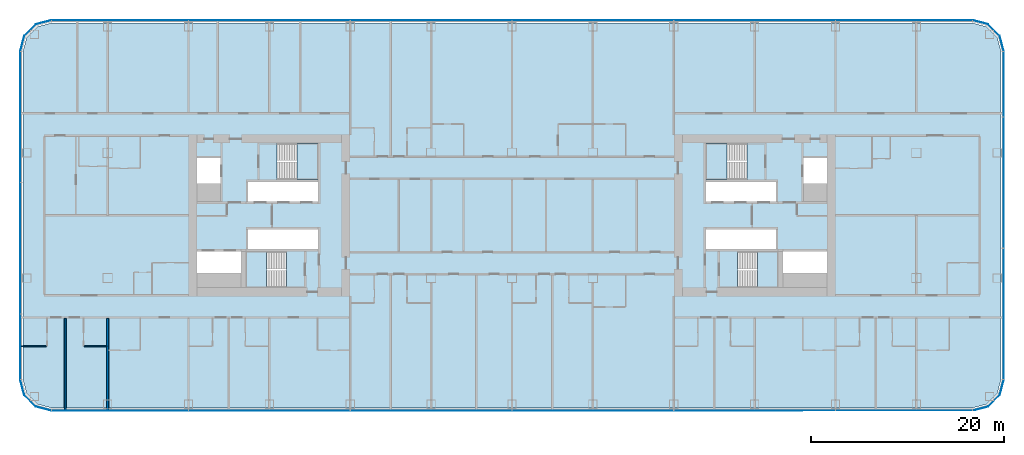
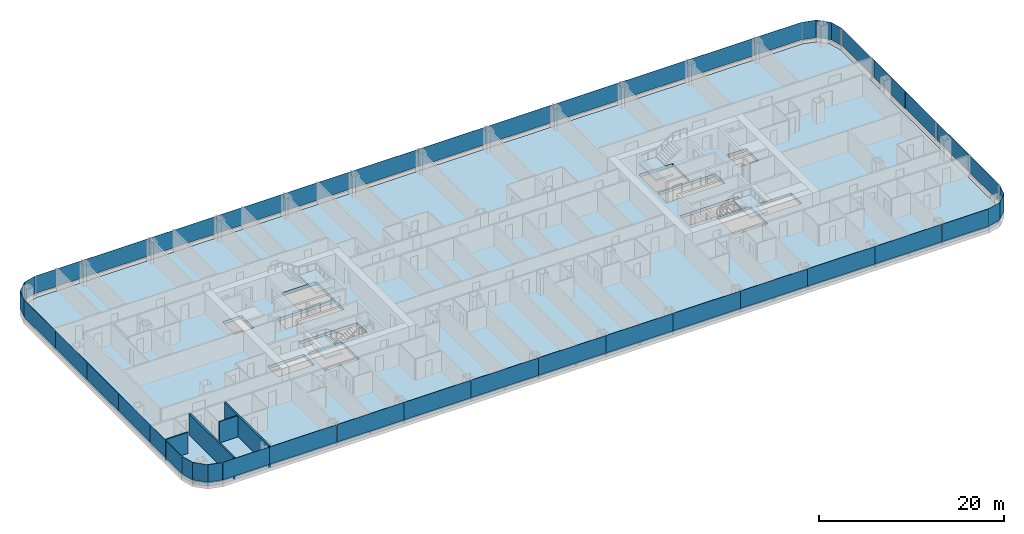
# One storey, part 12 of 29: 38 plates, 5 slabs, 4 walls, 12 elements without a shape of their own.
"""IFC4 building model written with IfcOpenShell, lengths in metres."""

from ifc_helpers import new_model, si_unit, direction, frame, frame_2d, origin, origin_2d, place, context, subcontext, project, spatial, polyline, rectangle, outline, extrude, material, layer, layer_set, type_object, element, aggregate, save


model = new_model("IFC4")

# Units and contexts
model_context = context("Model", 3, precision=1e-05, world=origin(), true_north=direction((0.0, 1.0)))
body_context = subcontext(model_context, "Body", "Model", "MODEL_VIEW")
ifc_project = project(units=[si_unit("LENGTHUNIT", "METRE"), si_unit("AREAUNIT", "SQUARE_METRE"), si_unit("VOLUMEUNIT", "CUBIC_METRE"), si_unit("PLANEANGLEUNIT", "RADIAN"), si_unit("MASSUNIT", "GRAM", prefix="KILO")], contexts=[model_context])

# Site, building, storey
site_placement = place(None, origin())
site = spatial("IfcSite", under=ifc_project, at=site_placement, CompositionType="ELEMENT")
building_placement = place(site_placement, origin())
building = spatial("IfcBuilding", under=site, at=building_placement, Name="Hakoniwa Tower and Hamabe Station Hall", CompositionType="ELEMENT")
storey_placement = place(building_placement, frame((0.0, 0.0, 45.39990234375)))
storey = spatial("IfcBuildingStorey", under=building, at=storey_placement, Name="L12", CompositionType="ELEMENT", Elevation=45.39990234375)

# Stair, slab
ifc_material_1 = material(Name="Concrete C40", Category="concrete")
stair_type = type_object("IfcStairType", Name="ESCAPE STAIR 1800", PredefinedType="HALF_TURN_STAIR", material=ifc_material_1)
stair_1_placement = place(storey_placement, origin())
stair_1 = element("IfcStair", 1, at=stair_1_placement, inside=storey, type_object=stair_type, Name="Escape stair ST-1 L12", PredefinedType="HALF_TURN_STAIR")
ifc_material_2 = material(Name="Concrete C40", Category="concrete")
ifc_layer_1 = layer(ifc_material_2, 0.25)
ifc_layer_set_1 = layer_set([ifc_layer_1], Name="CORE STAIR LANDING 250")
slab_type_1 = type_object("IfcSlabType", Name="CORE STAIR LANDING 250", PredefinedType="LANDING", material=ifc_layer_set_1)
slab_1_placement = place(storey_placement, frame((0.0, 0.0, 1.35009765625)))
slab_1 = element("IfcSlab", 2, at=slab_1_placement, type_object=slab_type_1, Name="ST-1 landing 1", PredefinedType="LANDING", context=body_context, shape_type="SweptSolid", body=[
    extrude(outline(polyline([(-22.320068359375, 3.75), (-20.14990234375, 3.75), (-20.14990234375, 7.5), (-22.320068359375, 7.5), (-22.320068359375, 3.75)])), origin(), (0.0, 0.0, 1.0), 0.25),
])
aggregate(stair_1, [slab_1])

stair_2_placement = place(storey_placement, origin())
stair_2 = element("IfcStair", 3, at=stair_2_placement, inside=storey, type_object=stair_type, Name="Escape stair ST-2 L12", PredefinedType="HALF_TURN_STAIR")
slab_2_placement = place(storey_placement, frame((0.0, 0.0, 1.35009765625)))
slab_2 = element("IfcSlab", 4, at=slab_2_placement, type_object=slab_type_1, Name="ST-2 landing 1", PredefinedType="LANDING", context=body_context, shape_type="SweptSolid", body=[
    extrude(outline(polyline([(-25.47998046875, -7.5), (-27.64990234375, -7.5), (-27.64990234375, -3.75), (-25.47998046875, -3.75), (-25.47998046875, -7.5)])), origin(), (0.0, 0.0, 1.0), 0.25),
])
aggregate(stair_2, [slab_2])

stair_3_placement = place(storey_placement, origin())
stair_3 = element("IfcStair", 5, at=stair_3_placement, inside=storey, type_object=stair_type, Name="Escape stair ST-3 L12", PredefinedType="HALF_TURN_STAIR")
slab_3_placement = place(storey_placement, frame((0.0, 0.0, 1.35009765625)))
slab_3 = element("IfcSlab", 6, at=slab_3_placement, type_object=slab_type_1, Name="ST-3 landing 1", PredefinedType="LANDING", context=body_context, shape_type="SweptSolid", body=[
    extrude(outline(polyline([(22.320068359375, 3.75), (20.14990234375, 3.75), (20.14990234375, 7.5), (22.320068359375, 7.5), (22.320068359375, 3.75)])), origin(), (0.0, 0.0, 1.0), 0.25),
])
aggregate(stair_3, [slab_3])

stair_4_placement = place(storey_placement, origin())
stair_4 = element("IfcStair", 7, at=stair_4_placement, inside=storey, type_object=stair_type, Name="Escape stair ST-4 L12", PredefinedType="HALF_TURN_STAIR")
slab_4_placement = place(storey_placement, frame((0.0, 0.0, 1.35009765625)))
slab_4 = element("IfcSlab", 8, at=slab_4_placement, type_object=slab_type_1, Name="ST-4 landing 1", PredefinedType="LANDING", context=body_context, shape_type="SweptSolid", body=[
    extrude(outline(polyline([(25.47998046875, -7.5), (27.64990234375, -7.5), (27.64990234375, -3.75), (25.47998046875, -3.75), (25.47998046875, -7.5)])), origin(), (0.0, 0.0, 1.0), 0.25),
])
aggregate(stair_4, [slab_4])

# Curtain wall, plates
ifc_material_3 = material(Name="Dark low-e laminated glass", Category="glass")
ifc_layer_2 = layer(ifc_material_3, 0.199951171875)
ifc_layer_set_2 = layer_set([ifc_layer_2], Name="CW-1 UNITISED GUEST")
curtain_wall_type = type_object("IfcCurtainWallType", Name="CW-1 UNITISED GUEST", PredefinedType="NOTDEFINED", material=ifc_layer_set_2)
curtain_wall_1_placement = place(storey_placement, origin())
curtain_wall_1 = element("IfcCurtainWall", 9, at=curtain_wall_1_placement, inside=storey, type_object=curtain_wall_type, Name="CW-1 curtain wall", PredefinedType="NOTDEFINED")
ifc_material_4 = material(Name="Dark low-e laminated glass", Category="glass")
ifc_layer_3 = layer(ifc_material_4, 0.028076171875)
ifc_layer_set_3 = layer_set([ifc_layer_3], Name="CW-1 GLASS UNIT")
plate_type = type_object("IfcPlateType", Name="CW-1 GLASS UNIT", PredefinedType="CURTAIN_PANEL", material=ifc_layer_set_3)
plate_1_placement = place(storey_placement, frame((51.0859375, -13.631591796875, 0.35009765625), z_axis=(0.0, 0.0, 1.0), x_axis=(0.0, 1.0, 0.0)))
plate_1 = element("IfcPlate", 10, at=plate_1_placement, type_object=plate_type, Name="CW-1 glass unit", PredefinedType="CURTAIN_PANEL", context=body_context, shape_type="SweptSolid", body=[
    extrude(rectangle(XDim=6.7958984375, YDim=0.028076171875, at=origin_2d()), origin(), (0.0, 0.0, 1.0), 2.300048828125),
])
plate_2_placement = place(storey_placement, frame((51.0859375, -6.81591796875, 0.35009765625), z_axis=(0.0, 0.0, 1.0), x_axis=(0.0, 1.0, 0.0)))
plate_2 = element("IfcPlate", 11, at=plate_2_placement, type_object=plate_type, Name="CW-1 glass unit", PredefinedType="CURTAIN_PANEL", context=body_context, shape_type="SweptSolid", body=[
    extrude(rectangle(XDim=6.7958984375, YDim=0.028076171875, at=origin_2d()), origin(), (0.0, 0.0, 1.0), 2.300048828125),
])
plate_3_placement = place(storey_placement, frame((51.0859375, 0.0, 0.35009765625), z_axis=(0.0, 0.0, 1.0), x_axis=(0.0, 1.0, 0.0)))
plate_3 = element("IfcPlate", 12, at=plate_3_placement, type_object=plate_type, Name="CW-1 glass unit", PredefinedType="CURTAIN_PANEL", context=body_context, shape_type="SweptSolid", body=[
    extrude(rectangle(XDim=6.7958984375, YDim=0.028076171875, at=origin_2d()), origin(), (0.0, 0.0, 1.0), 2.300048828125),
])
plate_4_placement = place(storey_placement, frame((51.0859375, 6.81591796875, 0.35009765625), z_axis=(0.0, 0.0, 1.0), x_axis=(0.0, 1.0, 0.0)))
plate_4 = element("IfcPlate", 13, at=plate_4_placement, type_object=plate_type, Name="CW-1 glass unit", PredefinedType="CURTAIN_PANEL", context=body_context, shape_type="SweptSolid", body=[
    extrude(rectangle(XDim=6.7958984375, YDim=0.028076171875, at=origin_2d()), origin(), (0.0, 0.0, 1.0), 2.300048828125),
])
plate_5_placement = place(storey_placement, frame((51.0859375, 13.631591796875, 0.35009765625), z_axis=(0.0, 0.0, 1.0), x_axis=(0.0, 1.0, 0.0)))
plate_5 = element("IfcPlate", 14, at=plate_5_placement, type_object=plate_type, Name="CW-1 glass unit", PredefinedType="CURTAIN_PANEL", context=body_context, shape_type="SweptSolid", body=[
    extrude(rectangle(XDim=6.7958984375, YDim=0.028076171875, at=origin_2d()), origin(), (0.0, 0.0, 1.0), 2.300048828125),
])
aggregate(curtain_wall_1, [plate_1, plate_2, plate_3, plate_4, plate_5])

# Curtain wall, plate
curtain_wall_2_placement = place(storey_placement, origin())
curtain_wall_2 = element("IfcCurtainWall", 15, at=curtain_wall_2_placement, inside=storey, type_object=curtain_wall_type, Name="CW-1 curtain wall", PredefinedType="NOTDEFINED")
plate_6_placement = place(storey_placement, frame((0.0, 0.0, 0.35009765625)))
plate_6 = element("IfcPlate", 16, at=plate_6_placement, type_object=plate_type, Name="CW-1 curved corner unit", PredefinedType="CURTAIN_PANEL", context=body_context, shape_type="SweptSolid", body=[
    extrude(outline(polyline([(51.089599609375, 17.078125), (50.6669921875, 18.6552734375), (49.455322265625, 19.866943359375), (47.878173828125, 20.28955078125), (47.870849609375, 20.2626953125), (49.44091796875, 19.842041015625), (50.641845703125, 18.640869140625), (51.0625, 17.07080078125), (51.089599609375, 17.078125)])), origin(), (0.0, 0.0, 1.0), 2.300048828125),
])
aggregate(curtain_wall_2, [plate_6])

# Curtain wall, plates
curtain_wall_3_placement = place(storey_placement, origin())
curtain_wall_3 = element("IfcCurtainWall", 17, at=curtain_wall_3_placement, inside=storey, type_object=curtain_wall_type, Name="CW-1 curtain wall", PredefinedType="NOTDEFINED")
plate_7_placement = place(storey_placement, frame((44.919677734375, 20.285888671875, 0.35009765625), z_axis=(0.0, 0.0, 1.0), x_axis=(-1.0, 0.0, 0.0)))
plate_7 = element("IfcPlate", 18, at=plate_7_placement, type_object=plate_type, Name="CW-1 glass unit", PredefinedType="CURTAIN_PANEL", context=body_context, shape_type="SweptSolid", body=[
    extrude(rectangle(XDim=5.819580078125, YDim=0.028076171875, at=origin_2d()), origin(), (0.0, 0.0, 1.0), 2.300048828125),
])
plate_8_placement = place(storey_placement, frame((37.800048828125, 20.285888671875, 0.35009765625), z_axis=(0.0, 0.0, 1.0), x_axis=(-1.0, 0.0, 0.0)))
plate_8 = element("IfcPlate", 19, at=plate_8_placement, type_object=plate_type, Name="CW-1 glass unit", PredefinedType="CURTAIN_PANEL", context=body_context, shape_type="SweptSolid", body=[
    extrude(rectangle(XDim=8.3798828125, YDim=0.028076171875, at=origin_2d()), origin(), (0.0, 0.0, 1.0), 2.300048828125),
])
plate_9_placement = place(storey_placement, frame((29.39990234375, 20.285888671875, 0.35009765625), z_axis=(0.0, 0.0, 1.0), x_axis=(-1.0, 0.0, 0.0)))
plate_9 = element("IfcPlate", 20, at=plate_9_placement, type_object=plate_type, Name="CW-1 glass unit", PredefinedType="CURTAIN_PANEL", context=body_context, shape_type="SweptSolid", body=[
    extrude(rectangle(XDim=8.3798828125, YDim=0.028076171875, at=origin_2d()), origin(), (0.0, 0.0, 1.0), 2.300048828125),
])
plate_10_placement = place(storey_placement, frame((21.0, 20.285888671875, 0.35009765625), z_axis=(0.0, 0.0, 1.0), x_axis=(-1.0, 0.0, 0.0)))
plate_10 = element("IfcPlate", 21, at=plate_10_placement, type_object=plate_type, Name="CW-1 glass unit", PredefinedType="CURTAIN_PANEL", context=body_context, shape_type="SweptSolid", body=[
    extrude(rectangle(XDim=8.3798828125, YDim=0.028076171875, at=origin_2d()), origin(), (0.0, 0.0, 1.0), 2.300048828125),
])
plate_11_placement = place(storey_placement, frame((12.60009765625, 20.285888671875, 0.35009765625), z_axis=(0.0, 0.0, 1.0), x_axis=(-1.0, 0.0, 0.0)))
plate_11 = element("IfcPlate", 22, at=plate_11_placement, type_object=plate_type, Name="CW-1 glass unit", PredefinedType="CURTAIN_PANEL", context=body_context, shape_type="SweptSolid", body=[
    extrude(rectangle(XDim=8.3798828125, YDim=0.028076171875, at=origin_2d()), origin(), (0.0, 0.0, 1.0), 2.300048828125),
])
plate_12_placement = place(storey_placement, frame((4.199951171875, 20.285888671875, 0.35009765625), z_axis=(0.0, 0.0, 1.0), x_axis=(-1.0, 0.0, 0.0)))
plate_12 = element("IfcPlate", 23, at=plate_12_placement, type_object=plate_type, Name="CW-1 glass unit", PredefinedType="CURTAIN_PANEL", context=body_context, shape_type="SweptSolid", body=[
    extrude(rectangle(XDim=8.3798828125, YDim=0.028076171875, at=origin_2d()), origin(), (0.0, 0.0, 1.0), 2.300048828125),
])
plate_13_placement = place(storey_placement, frame((-4.199951171875, 20.285888671875, 0.35009765625), z_axis=(0.0, 0.0, 1.0), x_axis=(-1.0, 0.0, 0.0)))
plate_13 = element("IfcPlate", 24, at=plate_13_placement, type_object=plate_type, Name="CW-1 glass unit", PredefinedType="CURTAIN_PANEL", context=body_context, shape_type="SweptSolid", body=[
    extrude(rectangle(XDim=8.3798828125, YDim=0.028076171875, at=origin_2d()), origin(), (0.0, 0.0, 1.0), 2.300048828125),
])
plate_14_placement = place(storey_placement, frame((-12.60009765625, 20.285888671875, 0.35009765625), z_axis=(0.0, 0.0, 1.0), x_axis=(-1.0, 0.0, 0.0)))
plate_14 = element("IfcPlate", 25, at=plate_14_placement, type_object=plate_type, Name="CW-1 glass unit", PredefinedType="CURTAIN_PANEL", context=body_context, shape_type="SweptSolid", body=[
    extrude(rectangle(XDim=8.3798828125, YDim=0.028076171875, at=origin_2d()), origin(), (0.0, 0.0, 1.0), 2.300048828125),
])
plate_15_placement = place(storey_placement, frame((-21.0, 20.285888671875, 0.35009765625), z_axis=(0.0, 0.0, 1.0), x_axis=(-1.0, 0.0, 0.0)))
plate_15 = element("IfcPlate", 26, at=plate_15_placement, type_object=plate_type, Name="CW-1 glass unit", PredefinedType="CURTAIN_PANEL", context=body_context, shape_type="SweptSolid", body=[
    extrude(rectangle(XDim=8.3798828125, YDim=0.028076171875, at=origin_2d()), origin(), (0.0, 0.0, 1.0), 2.300048828125),
])
plate_16_placement = place(storey_placement, frame((-29.39990234375, 20.285888671875, 0.35009765625), z_axis=(0.0, 0.0, 1.0), x_axis=(-1.0, 0.0, 0.0)))
plate_16 = element("IfcPlate", 27, at=plate_16_placement, type_object=plate_type, Name="CW-1 glass unit", PredefinedType="CURTAIN_PANEL", context=body_context, shape_type="SweptSolid", body=[
    extrude(rectangle(XDim=8.3798828125, YDim=0.028076171875, at=origin_2d()), origin(), (0.0, 0.0, 1.0), 2.300048828125),
])
plate_17_placement = place(storey_placement, frame((-37.800048828125, 20.285888671875, 0.35009765625), z_axis=(0.0, 0.0, 1.0), x_axis=(-1.0, 0.0, 0.0)))
plate_17 = element("IfcPlate", 28, at=plate_17_placement, type_object=plate_type, Name="CW-1 glass unit", PredefinedType="CURTAIN_PANEL", context=body_context, shape_type="SweptSolid", body=[
    extrude(rectangle(XDim=8.3798828125, YDim=0.028076171875, at=origin_2d()), origin(), (0.0, 0.0, 1.0), 2.300048828125),
])
plate_18_placement = place(storey_placement, frame((-44.919677734375, 20.285888671875, 0.35009765625), z_axis=(0.0, 0.0, 1.0), x_axis=(-1.0, 0.0, 0.0)))
plate_18 = element("IfcPlate", 29, at=plate_18_placement, type_object=plate_type, Name="CW-1 glass unit", PredefinedType="CURTAIN_PANEL", context=body_context, shape_type="SweptSolid", body=[
    extrude(rectangle(XDim=5.819580078125, YDim=0.028076171875, at=origin_2d()), origin(), (0.0, 0.0, 1.0), 2.300048828125),
])
aggregate(curtain_wall_3, [plate_7, plate_8, plate_9, plate_10, plate_11, plate_12, plate_13, plate_14, plate_15, plate_16, plate_17, plate_18])

# Curtain wall, plate
curtain_wall_4_placement = place(storey_placement, origin())
curtain_wall_4 = element("IfcCurtainWall", 30, at=curtain_wall_4_placement, inside=storey, type_object=curtain_wall_type, Name="CW-1 curtain wall", PredefinedType="NOTDEFINED")
plate_19_placement = place(storey_placement, frame((0.0, 0.0, 0.35009765625)))
plate_19 = element("IfcPlate", 31, at=plate_19_placement, type_object=plate_type, Name="CW-1 curved corner unit", PredefinedType="CURTAIN_PANEL", context=body_context, shape_type="SweptSolid", body=[
    extrude(outline(polyline([(-47.878173828125, 20.28955078125), (-49.455322265625, 19.866943359375), (-50.6669921875, 18.6552734375), (-51.089599609375, 17.078125), (-51.0625, 17.07080078125), (-50.641845703125, 18.640869140625), (-49.44091796875, 19.842041015625), (-47.870849609375, 20.2626953125), (-47.878173828125, 20.28955078125)])), origin(), (0.0, 0.0, 1.0), 2.300048828125),
])
aggregate(curtain_wall_4, [plate_19])

# Curtain wall, plates
curtain_wall_5_placement = place(storey_placement, origin())
curtain_wall_5 = element("IfcCurtainWall", 32, at=curtain_wall_5_placement, inside=storey, type_object=curtain_wall_type, Name="CW-1 curtain wall", PredefinedType="NOTDEFINED")
plate_20_placement = place(storey_placement, frame((-51.0859375, 13.631591796875, 0.35009765625), z_axis=(0.0, 0.0, 1.0), x_axis=(0.0, -1.0, 0.0)))
plate_20 = element("IfcPlate", 33, at=plate_20_placement, type_object=plate_type, Name="CW-1 glass unit", PredefinedType="CURTAIN_PANEL", context=body_context, shape_type="SweptSolid", body=[
    extrude(rectangle(XDim=6.7958984375, YDim=0.028076171875, at=origin_2d()), origin(), (0.0, 0.0, 1.0), 2.300048828125),
])
plate_21_placement = place(storey_placement, frame((-51.0859375, 6.81591796875, 0.35009765625), z_axis=(0.0, 0.0, 1.0), x_axis=(0.0, -1.0, 0.0)))
plate_21 = element("IfcPlate", 34, at=plate_21_placement, type_object=plate_type, Name="CW-1 glass unit", PredefinedType="CURTAIN_PANEL", context=body_context, shape_type="SweptSolid", body=[
    extrude(rectangle(XDim=6.7958984375, YDim=0.028076171875, at=origin_2d()), origin(), (0.0, 0.0, 1.0), 2.300048828125),
])
plate_22_placement = place(storey_placement, frame((-51.0859375, 0.0, 0.35009765625), z_axis=(0.0, 0.0, 1.0), x_axis=(0.0, -1.0, 0.0)))
plate_22 = element("IfcPlate", 35, at=plate_22_placement, type_object=plate_type, Name="CW-1 glass unit", PredefinedType="CURTAIN_PANEL", context=body_context, shape_type="SweptSolid", body=[
    extrude(rectangle(XDim=6.7958984375, YDim=0.028076171875, at=origin_2d()), origin(), (0.0, 0.0, 1.0), 2.300048828125),
])
plate_23_placement = place(storey_placement, frame((-51.0859375, -6.81591796875, 0.35009765625), z_axis=(0.0, 0.0, 1.0), x_axis=(0.0, -1.0, 0.0)))
plate_23 = element("IfcPlate", 36, at=plate_23_placement, type_object=plate_type, Name="CW-1 glass unit", PredefinedType="CURTAIN_PANEL", context=body_context, shape_type="SweptSolid", body=[
    extrude(rectangle(XDim=6.7958984375, YDim=0.028076171875, at=origin_2d()), origin(), (0.0, 0.0, 1.0), 2.300048828125),
])
plate_24_placement = place(storey_placement, frame((-51.0859375, -13.631591796875, 0.35009765625), z_axis=(0.0, 0.0, 1.0), x_axis=(0.0, -1.0, 0.0)))
plate_24 = element("IfcPlate", 37, at=plate_24_placement, type_object=plate_type, Name="CW-1 glass unit", PredefinedType="CURTAIN_PANEL", context=body_context, shape_type="SweptSolid", body=[
    extrude(rectangle(XDim=6.7958984375, YDim=0.028076171875, at=origin_2d()), origin(), (0.0, 0.0, 1.0), 2.300048828125),
])
aggregate(curtain_wall_5, [plate_20, plate_21, plate_22, plate_23, plate_24])

# Curtain wall, plate
curtain_wall_6_placement = place(storey_placement, origin())
curtain_wall_6 = element("IfcCurtainWall", 38, at=curtain_wall_6_placement, inside=storey, type_object=curtain_wall_type, Name="CW-1 curtain wall", PredefinedType="NOTDEFINED")
plate_25_placement = place(storey_placement, frame((0.0, 0.0, 0.35009765625)))
plate_25 = element("IfcPlate", 39, at=plate_25_placement, type_object=plate_type, Name="CW-1 curved corner unit", PredefinedType="CURTAIN_PANEL", context=body_context, shape_type="SweptSolid", body=[
    extrude(outline(polyline([(-51.089599609375, -17.078125), (-50.6669921875, -18.6552734375), (-49.455322265625, -19.866943359375), (-47.878173828125, -20.28955078125), (-47.870849609375, -20.2626953125), (-49.44091796875, -19.842041015625), (-50.641845703125, -18.640869140625), (-51.0625, -17.07080078125), (-51.089599609375, -17.078125)])), origin(), (0.0, 0.0, 1.0), 2.300048828125),
])
aggregate(curtain_wall_6, [plate_25])

# Curtain wall, plates
curtain_wall_7_placement = place(storey_placement, origin())
curtain_wall_7 = element("IfcCurtainWall", 40, at=curtain_wall_7_placement, inside=storey, type_object=curtain_wall_type, Name="CW-1 curtain wall", PredefinedType="NOTDEFINED")
plate_26_placement = place(storey_placement, frame((-44.919677734375, -20.285888671875, 0.35009765625), z_axis=(0.0, 0.0, 1.0), x_axis=(1.0, 0.0, 0.0)))
plate_26 = element("IfcPlate", 41, at=plate_26_placement, type_object=plate_type, Name="CW-1 glass unit", PredefinedType="CURTAIN_PANEL", context=body_context, shape_type="SweptSolid", body=[
    extrude(rectangle(XDim=5.819580078125, YDim=0.028076171875, at=origin_2d()), origin(), (0.0, 0.0, 1.0), 2.300048828125),
])
plate_27_placement = place(storey_placement, frame((-37.800048828125, -20.285888671875, 0.35009765625), z_axis=(0.0, 0.0, 1.0), x_axis=(1.0, 0.0, 0.0)))
plate_27 = element("IfcPlate", 42, at=plate_27_placement, type_object=plate_type, Name="CW-1 glass unit", PredefinedType="CURTAIN_PANEL", context=body_context, shape_type="SweptSolid", body=[
    extrude(rectangle(XDim=8.3798828125, YDim=0.028076171875, at=origin_2d()), origin(), (0.0, 0.0, 1.0), 2.300048828125),
])
plate_28_placement = place(storey_placement, frame((-29.39990234375, -20.285888671875, 0.35009765625), z_axis=(0.0, 0.0, 1.0), x_axis=(1.0, 0.0, 0.0)))
plate_28 = element("IfcPlate", 43, at=plate_28_placement, type_object=plate_type, Name="CW-1 glass unit", PredefinedType="CURTAIN_PANEL", context=body_context, shape_type="SweptSolid", body=[
    extrude(rectangle(XDim=8.3798828125, YDim=0.028076171875, at=origin_2d()), origin(), (0.0, 0.0, 1.0), 2.300048828125),
])
plate_29_placement = place(storey_placement, frame((-21.0, -20.285888671875, 0.35009765625), z_axis=(0.0, 0.0, 1.0), x_axis=(1.0, 0.0, 0.0)))
plate_29 = element("IfcPlate", 44, at=plate_29_placement, type_object=plate_type, Name="CW-1 glass unit", PredefinedType="CURTAIN_PANEL", context=body_context, shape_type="SweptSolid", body=[
    extrude(rectangle(XDim=8.3798828125, YDim=0.028076171875, at=origin_2d()), origin(), (0.0, 0.0, 1.0), 2.300048828125),
])
plate_30_placement = place(storey_placement, frame((-12.60009765625, -20.285888671875, 0.35009765625), z_axis=(0.0, 0.0, 1.0), x_axis=(1.0, 0.0, 0.0)))
plate_30 = element("IfcPlate", 45, at=plate_30_placement, type_object=plate_type, Name="CW-1 glass unit", PredefinedType="CURTAIN_PANEL", context=body_context, shape_type="SweptSolid", body=[
    extrude(rectangle(XDim=8.3798828125, YDim=0.028076171875, at=origin_2d()), origin(), (0.0, 0.0, 1.0), 2.300048828125),
])
plate_31_placement = place(storey_placement, frame((-4.199951171875, -20.285888671875, 0.35009765625), z_axis=(0.0, 0.0, 1.0), x_axis=(1.0, 0.0, 0.0)))
plate_31 = element("IfcPlate", 46, at=plate_31_placement, type_object=plate_type, Name="CW-1 glass unit", PredefinedType="CURTAIN_PANEL", context=body_context, shape_type="SweptSolid", body=[
    extrude(rectangle(XDim=8.3798828125, YDim=0.028076171875, at=origin_2d()), origin(), (0.0, 0.0, 1.0), 2.300048828125),
])
plate_32_placement = place(storey_placement, frame((4.199951171875, -20.285888671875, 0.35009765625), z_axis=(0.0, 0.0, 1.0), x_axis=(1.0, 0.0, 0.0)))
plate_32 = element("IfcPlate", 47, at=plate_32_placement, type_object=plate_type, Name="CW-1 glass unit", PredefinedType="CURTAIN_PANEL", context=body_context, shape_type="SweptSolid", body=[
    extrude(rectangle(XDim=8.3798828125, YDim=0.028076171875, at=origin_2d()), origin(), (0.0, 0.0, 1.0), 2.300048828125),
])
plate_33_placement = place(storey_placement, frame((12.60009765625, -20.285888671875, 0.35009765625), z_axis=(0.0, 0.0, 1.0), x_axis=(1.0, 0.0, 0.0)))
plate_33 = element("IfcPlate", 48, at=plate_33_placement, type_object=plate_type, Name="CW-1 glass unit", PredefinedType="CURTAIN_PANEL", context=body_context, shape_type="SweptSolid", body=[
    extrude(rectangle(XDim=8.3798828125, YDim=0.028076171875, at=origin_2d()), origin(), (0.0, 0.0, 1.0), 2.300048828125),
])
plate_34_placement = place(storey_placement, frame((21.0, -20.285888671875, 0.35009765625), z_axis=(0.0, 0.0, 1.0), x_axis=(1.0, 0.0, 0.0)))
plate_34 = element("IfcPlate", 49, at=plate_34_placement, type_object=plate_type, Name="CW-1 glass unit", PredefinedType="CURTAIN_PANEL", context=body_context, shape_type="SweptSolid", body=[
    extrude(rectangle(XDim=8.3798828125, YDim=0.028076171875, at=origin_2d()), origin(), (0.0, 0.0, 1.0), 2.300048828125),
])
plate_35_placement = place(storey_placement, frame((29.39990234375, -20.285888671875, 0.35009765625), z_axis=(0.0, 0.0, 1.0), x_axis=(1.0, 0.0, 0.0)))
plate_35 = element("IfcPlate", 50, at=plate_35_placement, type_object=plate_type, Name="CW-1 glass unit", PredefinedType="CURTAIN_PANEL", context=body_context, shape_type="SweptSolid", body=[
    extrude(rectangle(XDim=8.3798828125, YDim=0.028076171875, at=origin_2d()), origin(), (0.0, 0.0, 1.0), 2.300048828125),
])
plate_36_placement = place(storey_placement, frame((37.800048828125, -20.285888671875, 0.35009765625), z_axis=(0.0, 0.0, 1.0), x_axis=(1.0, 0.0, 0.0)))
plate_36 = element("IfcPlate", 51, at=plate_36_placement, type_object=plate_type, Name="CW-1 glass unit", PredefinedType="CURTAIN_PANEL", context=body_context, shape_type="SweptSolid", body=[
    extrude(rectangle(XDim=8.3798828125, YDim=0.028076171875, at=origin_2d()), origin(), (0.0, 0.0, 1.0), 2.300048828125),
])
plate_37_placement = place(storey_placement, frame((44.919677734375, -20.285888671875, 0.35009765625), z_axis=(0.0, 0.0, 1.0), x_axis=(1.0, 0.0, 0.0)))
plate_37 = element("IfcPlate", 52, at=plate_37_placement, type_object=plate_type, Name="CW-1 glass unit", PredefinedType="CURTAIN_PANEL", context=body_context, shape_type="SweptSolid", body=[
    extrude(rectangle(XDim=5.819580078125, YDim=0.028076171875, at=origin_2d()), origin(), (0.0, 0.0, 1.0), 2.300048828125),
])
aggregate(curtain_wall_7, [plate_26, plate_27, plate_28, plate_29, plate_30, plate_31, plate_32, plate_33, plate_34, plate_35, plate_36, plate_37])

# Curtain wall, plate
curtain_wall_8_placement = place(storey_placement, origin())
curtain_wall_8 = element("IfcCurtainWall", 53, at=curtain_wall_8_placement, inside=storey, type_object=curtain_wall_type, Name="CW-1 curtain wall", PredefinedType="NOTDEFINED")
plate_38_placement = place(storey_placement, frame((0.0, 0.0, 0.35009765625)))
plate_38 = element("IfcPlate", 54, at=plate_38_placement, type_object=plate_type, Name="CW-1 curved corner unit", PredefinedType="CURTAIN_PANEL", context=body_context, shape_type="SweptSolid", body=[
    extrude(outline(polyline([(47.878173828125, -20.28955078125), (49.455322265625, -19.866943359375), (50.6669921875, -18.6552734375), (51.089599609375, -17.078125), (51.0625, -17.07080078125), (50.641845703125, -18.640869140625), (49.44091796875, -19.842041015625), (47.870849609375, -20.2626953125), (47.878173828125, -20.28955078125)])), origin(), (0.0, 0.0, 1.0), 2.300048828125),
])
aggregate(curtain_wall_8, [plate_38])

# Slab
ifc_material_5 = material(Name="Concrete C42", Category="concrete")
ifc_layer_4 = layer(ifc_material_5, 0.39990234375)
ifc_layer_set_4 = layer_set([ifc_layer_4], Name="PT FLAT PLATE 400")
slab_type_2 = type_object("IfcSlabType", Name="PT FLAT PLATE 400", PredefinedType="FLOOR", material=ifc_layer_set_4)
slab_5_placement = place(storey_placement, frame((0.0, 0.0, -0.39990234375)))
element("IfcSlab", 55, at=slab_5_placement, inside=storey, type_object=slab_type_2, Name="Floor slab L12", PredefinedType="FLOOR", context=body_context, shape_type="SweptSolid", body=[
    extrude(outline(polyline([(50.800048828125, -17.0), (50.800048828125, 17.0), (50.398193359375, 18.5), (49.300048828125, 19.59814453125), (47.800048828125, 20.0), (-47.800048828125, 20.0), (-49.300048828125, 19.59814453125), (-50.398193359375, 18.5), (-50.800048828125, 17.0), (-50.800048828125, -17.0), (-50.398193359375, -18.5), (-49.300048828125, -19.59814453125), (-47.800048828125, -20.0), (47.800048828125, -20.0), (49.300048828125, -19.59814453125), (50.398193359375, -18.5), (50.800048828125, -17.0)]), holes=[polyline([(-27.39990234375, 1.449951171875), (-27.39990234375, 3.5), (-20.14990234375, 3.5), (-20.14990234375, 1.449951171875), (-27.39990234375, 1.449951171875)]), polyline([(-27.39990234375, -3.5), (-27.39990234375, -1.449951171875), (-20.14990234375, -1.449951171875), (-20.14990234375, -3.5), (-27.39990234375, -3.5)]), polyline([(-32.699951171875, 3.300048828125), (-32.699951171875, 5.949951171875), (-30.300048828125, 5.949951171875), (-30.300048828125, 3.300048828125), (-32.699951171875, 3.300048828125)]), polyline([(-32.699951171875, -6.0), (-32.699951171875, -3.75), (-28.14990234375, -3.75), (-28.14990234375, -6.0), (-32.699951171875, -6.0)]), polyline([(-24.389892578125, 3.75), (-24.389892578125, 7.5), (-20.14990234375, 7.5), (-20.14990234375, 3.75), (-24.389892578125, 3.75)]), polyline([(-27.64990234375, -7.5), (-27.64990234375, -3.75), (-23.409912109375, -3.75), (-23.409912109375, -7.5), (-27.64990234375, -7.5)]), polyline([(20.14990234375, 1.449951171875), (20.14990234375, 3.5), (27.39990234375, 3.5), (27.39990234375, 1.449951171875), (20.14990234375, 1.449951171875)]), polyline([(20.14990234375, -3.5), (20.14990234375, -1.449951171875), (27.39990234375, -1.449951171875), (27.39990234375, -3.5), (20.14990234375, -3.5)]), polyline([(30.300048828125, 3.300048828125), (30.300048828125, 5.949951171875), (32.699951171875, 5.949951171875), (32.699951171875, 3.300048828125), (30.300048828125, 3.300048828125)]), polyline([(28.14990234375, -6.0), (28.14990234375, -3.75), (32.699951171875, -3.75), (32.699951171875, -6.0), (28.14990234375, -6.0)]), polyline([(20.14990234375, 3.75), (20.14990234375, 7.5), (24.389892578125, 7.5), (24.389892578125, 3.75), (20.14990234375, 3.75)]), polyline([(23.409912109375, -7.5), (23.409912109375, -3.75), (27.64990234375, -3.75), (27.64990234375, -7.5), (23.409912109375, -7.5)])]), origin(), (0.0, 0.0, 1.0), 0.39990234375),
])

# Walls
ifc_material_6 = material(Name="Gypsum board partition", Category="gypsum")
ifc_layer_5 = layer(ifc_material_6, 0.125)
ifc_layer_set_5 = layer_set([ifc_layer_5], Name="Bathroom Partition 125")
wall_type_1 = type_object("IfcWallType", Name="Bathroom Partition 125", PredefinedType="PARTITIONING", material=ifc_layer_set_5)
wall_1_placement = place(storey_placement, frame((-51.10009765625, -13.60009765625, 0.0), z_axis=(0.0, 0.0, 1.0), x_axis=(1.0, 0.0, 0.0)))
element("IfcWall", 56, at=wall_1_placement, inside=storey, type_object=wall_type_1, Name="GW-L12-005", PredefinedType="PARTITIONING", context=body_context, shape_type="SweptSolid", body=[
    extrude(rectangle(XDim=2.737548828125, YDim=0.125, at=frame_2d((1.36865234375, 0.0))), origin(), (0.0, 0.0, 1.0), 2.800048828125),
])
wall_2_placement = place(storey_placement, frame((-44.4375, -13.60009765625, 0.0), z_axis=(0.0, 0.0, 1.0), x_axis=(1.0, 0.0, 0.0)))
element("IfcWall", 57, at=wall_2_placement, inside=storey, type_object=wall_type_1, Name="GW-L12-006", PredefinedType="PARTITIONING", context=body_context, shape_type="SweptSolid", body=[
    extrude(rectangle(XDim=2.33740234375, YDim=0.125, at=frame_2d((1.168701171875, 0.0))), origin(), (0.0, 0.0, 1.0), 2.800048828125),
])
ifc_material_7 = material(Name="Fire-rated gypsum board partition", Category="gypsum")
ifc_layer_6 = layer(ifc_material_7, 0.199951171875)
ifc_layer_set_6 = layer_set([ifc_layer_6], Name="Party Wall 200")
wall_type_2 = type_object("IfcWallType", Name="Party Wall 200", PredefinedType="PARTITIONING", material=ifc_layer_set_6)
for number, where, z_axis, x_axis, name in (
    (58, (-46.39990234375, -20.300048828125, 0.0), (0.0, 0.0, 1.0), (0.0, 1.0, 0.0), "GW-L12-045"),
    (59, (-42.0, -20.300048828125, 0.0), (0.0, 0.0, 1.0), (0.0, 1.0, 0.0), "GW-L12-050"),
):
    element("IfcWall", number, at=place(storey_placement, frame(where, z_axis=z_axis, x_axis=x_axis)), inside=storey, type_object=wall_type_2, Name=name, PredefinedType="PARTITIONING", context=body_context, shape_type="SweptSolid", body=[
        extrude(rectangle(XDim=9.60009765625, YDim=0.199951171875, at=frame_2d((4.800048828125, 0.0))), origin(), (0.0, 0.0, 1.0), 2.800048828125),
    ])

save(model, "model.ifc")
